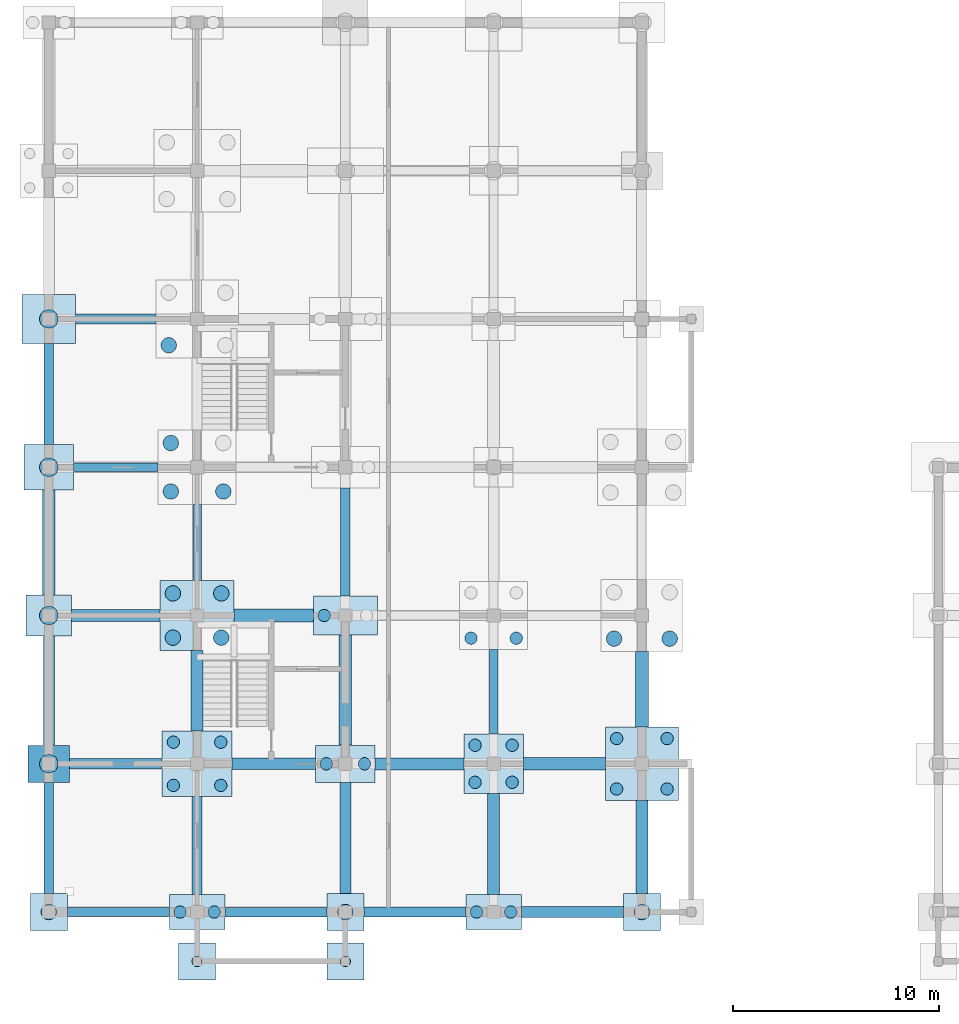
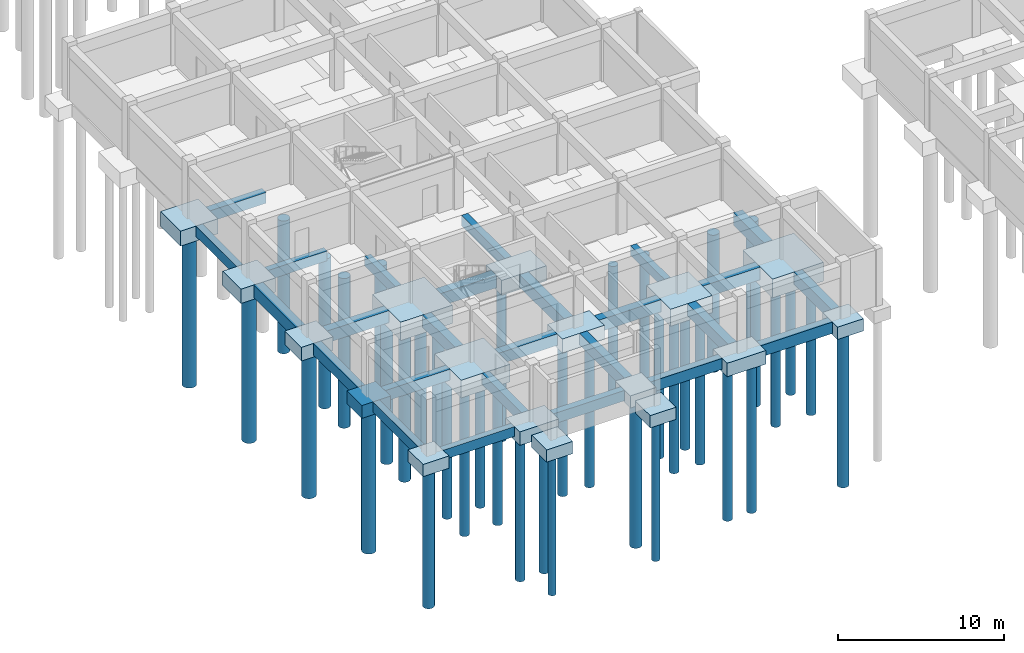
# One storey, part 1 of 38: 43 footings, 40 piles.
"""IFC4 building model written with IfcOpenShell, lengths in metres."""

from ifc_helpers import new_model, si_unit, direction, frame, origin, origin_2d, place, context, subcontext, project, spatial, polyline, rectangle, circle, outline, extrude, material, material_profile, profile_set, type_object, element, save


model = new_model("IFC4")

# Units and contexts
model_context = context("Model", 3, precision=1e-05, world=origin(), true_north=direction((0.0, 1.0)))
body_context = subcontext(model_context, "Body", "Model", "MODEL_VIEW")
ifc_project = project(units=[si_unit("LENGTHUNIT", "METRE"), si_unit("AREAUNIT", "SQUARE_METRE"), si_unit("VOLUMEUNIT", "CUBIC_METRE"), si_unit("PLANEANGLEUNIT", "RADIAN"), si_unit("MASSUNIT", "GRAM", prefix="KILO"), si_unit("THERMODYNAMICTEMPERATUREUNIT", "KELVIN"), si_unit("POWERUNIT", "WATT")], contexts=[model_context])

# Site, building, storey
site_placement = place(None, origin())
site = spatial("IfcSite", under=ifc_project, at=site_placement, CompositionType="ELEMENT")
building_placement = place(site_placement, origin())
building = spatial("IfcBuilding", under=site, at=building_placement, Name="Tavuni Mirador Residences", CompositionType="ELEMENT")
storey_placement = place(building_placement, frame((0.0, 0.0, -4.199951171875)))
storey = spatial("IfcBuildingStorey", under=building, at=storey_placement, Name="B1", CompositionType="ELEMENT", Elevation=-4.199951171875)

# Footings
ifc_material = material(Name="In-situ concrete C35/45", Category="concrete")
footing_type_1 = type_object("IfcFootingType", Name="FT-GB01", PredefinedType="FOOTING_BEAM", material=ifc_material)
footing_1_placement = place(storey_placement, frame((0.0, 0.0, -0.719970703125)))
element("IfcFooting", 1, at=footing_1_placement, inside=storey, type_object=footing_type_1, Name="GBX-BLK-A-00-00", PredefinedType="FOOTING_BEAM", context=body_context, shape_type="SweptSolid", body=[
    extrude(outline(polyline([(4.5, 6.989990234375), (9.449951171875, 6.989990234375), (9.449951171875, 7.409912109375), (4.5, 7.409912109375), (4.5, 6.989990234375)])), origin(), (0.0, 0.0, 1.0), 0.719970703125),
])
footing_2_placement = place(storey_placement, frame((0.0, 0.0, -0.719970703125)))
element("IfcFooting", 2, at=footing_2_placement, inside=storey, type_object=footing_type_1, Name="GBX-BLK-A-00-03", PredefinedType="FOOTING_BEAM", context=body_context, shape_type="SweptSolid", body=[
    extrude(outline(polyline([(4.800048828125, 28.590087890625), (8.89990234375, 28.590087890625), (8.89990234375, 29.010009765625), (4.800048828125, 29.010009765625), (4.800048828125, 28.590087890625)])), origin(), (0.0, 0.0, 1.0), 0.719970703125),
])
footing_3_placement = place(storey_placement, frame((0.0, 0.0, -0.719970703125)))
element("IfcFooting", 3, at=footing_3_placement, inside=storey, type_object=footing_type_1, Name="GBY-BLK-A-01-02", PredefinedType="FOOTING_BEAM", context=body_context, shape_type="SweptSolid", body=[
    extrude(outline(polyline([(10.590087890625, 23.300048828125), (11.010009765625, 23.300048828125), (11.010009765625, 27.0), (10.590087890625, 27.0), (10.590087890625, 23.300048828125)])), origin(), (0.0, 0.0, 1.0), 0.719970703125),
])
footing_4_placement = place(storey_placement, frame((0.0, 0.0, -0.719970703125)))
element("IfcFooting", 4, at=footing_4_placement, inside=storey, type_object=footing_type_1, Name="GBY-BLK-A-03-01", PredefinedType="FOOTING_BEAM", context=body_context, shape_type="SweptSolid", body=[
    extrude(outline(polyline([(24.989990234375, 15.85009765625), (25.409912109375, 15.85009765625), (25.409912109375, 19.949951171875), (24.989990234375, 19.949951171875), (24.989990234375, 15.85009765625)])), origin(), (0.0, 0.0, 1.0), 0.719970703125),
])
footing_type_2 = type_object("IfcFootingType", Name="FT-GB02", PredefinedType="FOOTING_BEAM", material=ifc_material)
footing_5_placement = place(storey_placement, frame((0.0, 0.0, -0.760009765625)))
element("IfcFooting", 5, at=footing_5_placement, inside=storey, type_object=footing_type_2, Name="GBY-BLK-A-00-00", PredefinedType="FOOTING_BEAM", context=body_context, shape_type="SweptSolid", body=[
    extrude(outline(polyline([(3.3701171875, 8.10009765625), (3.830078125, 8.10009765625), (3.830078125, 13.5), (3.3701171875, 13.5), (3.3701171875, 8.10009765625)])), origin(), (0.0, 0.0, 1.0), 0.760009765625),
])
footing_6_placement = place(storey_placement, frame((0.0, 0.0, -0.760009765625)))
element("IfcFooting", 6, at=footing_6_placement, inside=storey, type_object=footing_type_2, Name="GBY-BLK-A-00-03", PredefinedType="FOOTING_BEAM", context=body_context, shape_type="SweptSolid", body=[
    extrude(outline(polyline([(3.3701171875, 29.89990234375), (3.830078125, 29.89990234375), (3.830078125, 34.800048828125), (3.3701171875, 34.800048828125), (3.3701171875, 29.89990234375)])), origin(), (0.0, 0.0, 1.0), 0.760009765625),
])
footing_7_placement = place(storey_placement, frame((0.0, 0.0, -0.760009765625)))
element("IfcFooting", 7, at=footing_7_placement, inside=storey, type_object=footing_type_2, Name="GBX-BLK-A-01-00", PredefinedType="FOOTING_BEAM", context=body_context, shape_type="SweptSolid", body=[
    extrude(outline(polyline([(12.14990234375, 6.969970703125), (17.10009765625, 6.969970703125), (17.10009765625, 7.429931640625), (12.14990234375, 7.429931640625), (12.14990234375, 6.969970703125)])), origin(), (0.0, 0.0, 1.0), 0.760009765625),
])
footing_8_placement = place(storey_placement, frame((0.0, 0.0, -0.760009765625)))
element("IfcFooting", 8, at=footing_8_placement, inside=storey, type_object=footing_type_2, Name="GBY-BLK-A-02-02", PredefinedType="FOOTING_BEAM", context=body_context, shape_type="SweptSolid", body=[
    extrude(outline(polyline([(17.77001953125, 22.550048828125), (18.22998046875, 22.550048828125), (18.22998046875, 27.800048828125), (17.77001953125, 27.800048828125), (17.77001953125, 22.550048828125)])), origin(), (0.0, 0.0, 1.0), 0.760009765625),
])
footing_type_3 = type_object("IfcFootingType", Name="FT-GB03", PredefinedType="FOOTING_BEAM", material=ifc_material)
footing_9_placement = place(storey_placement, frame((0.0, 0.0, -0.800048828125)))
element("IfcFooting", 9, at=footing_9_placement, inside=storey, type_object=footing_type_3, Name="GBX-BLK-A-00-01", PredefinedType="FOOTING_BEAM", context=body_context, shape_type="SweptSolid", body=[
    extrude(outline(polyline([(4.60009765625, 14.14990234375), (9.10009765625, 14.14990234375), (9.10009765625, 14.64990234375), (4.60009765625, 14.64990234375), (4.60009765625, 14.14990234375)])), origin(), (0.0, 0.0, 1.0), 0.800048828125),
])
footing_10_placement = place(storey_placement, frame((0.0, 0.0, -0.800048828125)))
element("IfcFooting", 10, at=footing_10_placement, inside=storey, type_object=footing_type_3, Name="GBX-BLK-A-00-04", PredefinedType="FOOTING_BEAM", context=body_context, shape_type="SweptSolid", body=[
    extrude(outline(polyline([(4.89990234375, 35.75), (8.800048828125, 35.75), (8.800048828125, 36.25), (4.89990234375, 36.25), (4.89990234375, 35.75)])), origin(), (0.0, 0.0, 1.0), 0.800048828125),
])
footing_11_placement = place(storey_placement, frame((0.0, 0.0, -0.800048828125)))
element("IfcFooting", 11, at=footing_11_placement, inside=storey, type_object=footing_type_3, Name="GBY-BLK-A-01-00", PredefinedType="FOOTING_BEAM", context=body_context, shape_type="SweptSolid", body=[
    extrude(outline(polyline([(10.550048828125, 8.050048828125), (11.050048828125, 8.050048828125), (11.050048828125, 12.800048828125), (10.550048828125, 12.800048828125), (10.550048828125, 8.050048828125)])), origin(), (0.0, 0.0, 1.0), 0.800048828125),
])
footing_12_placement = place(storey_placement, frame((0.0, 0.0, -0.800048828125)))
element("IfcFooting", 12, at=footing_12_placement, inside=storey, type_object=footing_type_3, Name="GBX-BLK-A-02-00", PredefinedType="FOOTING_BEAM", context=body_context, shape_type="SweptSolid", body=[
    extrude(outline(polyline([(18.89990234375, 6.949951171875), (23.85009765625, 6.949951171875), (23.85009765625, 7.449951171875), (18.89990234375, 7.449951171875), (18.89990234375, 6.949951171875)])), origin(), (0.0, 0.0, 1.0), 0.800048828125),
])
footing_type_4 = type_object("IfcFootingType", Name="FT-GB04", PredefinedType="FOOTING_BEAM", material=ifc_material)
footing_13_placement = place(storey_placement, frame((0.0, 0.0, -0.840087890625)))
element("IfcFooting", 13, at=footing_13_placement, inside=storey, type_object=footing_type_4, Name="GBY-BLK-A-00-01", PredefinedType="FOOTING_BEAM", context=body_context, shape_type="SweptSolid", body=[
    extrude(outline(polyline([(3.330078125, 15.300048828125), (3.8701171875, 15.300048828125), (3.8701171875, 20.60009765625), (3.330078125, 20.60009765625), (3.330078125, 15.300048828125)])), origin(), (0.0, 0.0, 1.0), 0.840087890625),
])
footing_14_placement = place(storey_placement, frame((0.0, 0.0, -0.840087890625)))
element("IfcFooting", 14, at=footing_14_placement, inside=storey, type_object=footing_type_4, Name="GBX-BLK-A-01-01", PredefinedType="FOOTING_BEAM", context=body_context, shape_type="SweptSolid", body=[
    extrude(outline(polyline([(12.5, 14.1298828125), (16.550048828125, 14.1298828125), (16.550048828125, 14.669921875), (12.5, 14.669921875), (12.5, 14.1298828125)])), origin(), (0.0, 0.0, 1.0), 0.840087890625),
])
footing_15_placement = place(storey_placement, frame((0.0, 0.0, -0.840087890625)))
element("IfcFooting", 15, at=footing_15_placement, inside=storey, type_object=footing_type_4, Name="GBY-BLK-A-02-00", PredefinedType="FOOTING_BEAM", context=body_context, shape_type="SweptSolid", body=[
    extrude(outline(polyline([(17.72998046875, 8.10009765625), (18.27001953125, 8.10009765625), (18.27001953125, 13.5), (17.72998046875, 13.5), (17.72998046875, 8.10009765625)])), origin(), (0.0, 0.0, 1.0), 0.840087890625),
])
footing_16_placement = place(storey_placement, frame((0.0, 0.0, -0.840087890625)))
element("IfcFooting", 16, at=footing_16_placement, inside=storey, type_object=footing_type_4, Name="GBX-BLK-A-03-00", PredefinedType="FOOTING_BEAM", context=body_context, shape_type="SweptSolid", body=[
    extrude(outline(polyline([(26.550048828125, 6.929931640625), (31.5, 6.929931640625), (31.5, 7.469970703125), (26.550048828125, 7.469970703125), (26.550048828125, 6.929931640625)])), origin(), (0.0, 0.0, 1.0), 0.840087890625),
])
footing_type_5 = type_object("IfcFootingType", Name="FT-GB05", PredefinedType="FOOTING_BEAM", material=ifc_material)
footing_17_placement = place(storey_placement, frame((0.0, 0.0, -0.880126953125)))
element("IfcFooting", 17, at=footing_17_placement, inside=storey, type_object=footing_type_5, Name="GBX-BLK-A-00-02", PredefinedType="FOOTING_BEAM", context=body_context, shape_type="SweptSolid", body=[
    extrude(outline(polyline([(4.699951171875, 21.31005859375), (9.0, 21.31005859375), (9.0, 21.889892578125), (4.699951171875, 21.889892578125), (4.699951171875, 21.31005859375)])), origin(), (0.0, 0.0, 1.0), 0.880126953125),
])
footing_18_placement = place(storey_placement, frame((0.0, 0.0, -0.880126953125)))
element("IfcFooting", 18, at=footing_18_placement, inside=storey, type_object=footing_type_5, Name="GBY-BLK-A-01-01", PredefinedType="FOOTING_BEAM", context=body_context, shape_type="SweptSolid", body=[
    extrude(outline(polyline([(10.510009765625, 16.0), (11.090087890625, 16.0), (11.090087890625, 19.89990234375), (10.510009765625, 19.89990234375), (10.510009765625, 16.0)])), origin(), (0.0, 0.0, 1.0), 0.880126953125),
])
footing_19_placement = place(storey_placement, frame((0.0, 0.0, -0.880126953125)))
element("IfcFooting", 19, at=footing_19_placement, inside=storey, type_object=footing_type_5, Name="GBX-BLK-A-02-01", PredefinedType="FOOTING_BEAM", context=body_context, shape_type="SweptSolid", body=[
    extrude(outline(polyline([(19.449951171875, 14.110107421875), (23.75, 14.110107421875), (23.75, 14.68994140625), (19.449951171875, 14.68994140625), (19.449951171875, 14.110107421875)])), origin(), (0.0, 0.0, 1.0), 0.880126953125),
])
footing_20_placement = place(storey_placement, frame((0.0, 0.0, -0.880126953125)))
element("IfcFooting", 20, at=footing_20_placement, inside=storey, type_object=footing_type_5, Name="GBY-BLK-A-03-00", PredefinedType="FOOTING_BEAM", context=body_context, shape_type="SweptSolid", body=[
    extrude(outline(polyline([(24.909912109375, 8.050048828125), (25.489990234375, 8.050048828125), (25.489990234375, 12.949951171875), (24.909912109375, 12.949951171875), (24.909912109375, 8.050048828125)])), origin(), (0.0, 0.0, 1.0), 0.880126953125),
])
footing_21_placement = place(storey_placement, frame((0.0, 0.0, -0.880126953125)))
element("IfcFooting", 21, at=footing_21_placement, inside=storey, type_object=footing_type_5, Name="GBY-BLK-A-04-00", PredefinedType="FOOTING_BEAM", context=body_context, shape_type="SweptSolid", body=[
    extrude(outline(polyline([(32.110107421875, 8.10009765625), (32.68994140625, 8.10009765625), (32.68994140625, 12.625), (32.110107421875, 12.625), (32.110107421875, 8.10009765625)])), origin(), (0.0, 0.0, 1.0), 0.880126953125),
])
footing_type_6 = type_object("IfcFootingType", Name="FT-GB06", PredefinedType="FOOTING_BEAM", material=ifc_material)
footing_22_placement = place(storey_placement, frame((0.0, 0.0, -0.920166015625)))
element("IfcFooting", 22, at=footing_22_placement, inside=storey, type_object=footing_type_6, Name="GBY-BLK-A-00-02", PredefinedType="FOOTING_BEAM", context=body_context, shape_type="SweptSolid", body=[
    extrude(outline(polyline([(3.2900390625, 22.60009765625), (3.909912109375, 22.60009765625), (3.909912109375, 27.699951171875), (3.2900390625, 27.699951171875), (3.2900390625, 22.60009765625)])), origin(), (0.0, 0.0, 1.0), 0.920166015625),
])
footing_23_placement = place(storey_placement, frame((0.0, 0.0, -0.920166015625)))
element("IfcFooting", 23, at=footing_23_placement, inside=storey, type_object=footing_type_6, Name="GBX-BLK-A-01-02", PredefinedType="FOOTING_BEAM", context=body_context, shape_type="SweptSolid", body=[
    extrude(outline(polyline([(12.60009765625, 21.2900390625), (16.449951171875, 21.2900390625), (16.449951171875, 21.909912109375), (12.60009765625, 21.909912109375), (12.60009765625, 21.2900390625)])), origin(), (0.0, 0.0, 1.0), 0.920166015625),
])
footing_24_placement = place(storey_placement, frame((0.0, 0.0, -0.920166015625)))
element("IfcFooting", 24, at=footing_24_placement, inside=storey, type_object=footing_type_6, Name="GBY-BLK-A-02-01", PredefinedType="FOOTING_BEAM", context=body_context, shape_type="SweptSolid", body=[
    extrude(outline(polyline([(17.68994140625, 15.300048828125), (18.31005859375, 15.300048828125), (18.31005859375, 20.64990234375), (17.68994140625, 20.64990234375), (17.68994140625, 15.300048828125)])), origin(), (0.0, 0.0, 1.0), 0.920166015625),
])
footing_25_placement = place(storey_placement, frame((0.0, 0.0, -0.920166015625)))
element("IfcFooting", 25, at=footing_25_placement, inside=storey, type_object=footing_type_6, Name="GBX-BLK-A-03-01", PredefinedType="FOOTING_BEAM", context=body_context, shape_type="SweptSolid", body=[
    extrude(outline(polyline([(26.64990234375, 14.090087890625), (30.625, 14.090087890625), (30.625, 14.7099609375), (26.64990234375, 14.7099609375), (26.64990234375, 14.090087890625)])), origin(), (0.0, 0.0, 1.0), 0.920166015625),
])
footing_26_placement = place(storey_placement, frame((0.0, 0.0, -0.920166015625)))
element("IfcFooting", 26, at=footing_26_placement, inside=storey, type_object=footing_type_6, Name="GBY-BLK-A-04-01", PredefinedType="FOOTING_BEAM", context=body_context, shape_type="SweptSolid", body=[
    extrude(outline(polyline([(32.090087890625, 16.175048828125), (32.7099609375, 16.175048828125), (32.7099609375, 19.85009765625), (32.090087890625, 19.85009765625), (32.090087890625, 16.175048828125)])), origin(), (0.0, 0.0, 1.0), 0.920166015625),
])
footing_type_7 = type_object("IfcFootingType", Name="FT-PC01", PredefinedType="PILE_CAP", material=ifc_material)
for number, where, z_axis, x_axis, name in (
    (27, (3.60009765625, 7.199951171875, -0.89990234375), (0.0, 0.0, 1.0), (1.0, 0.0, 0.0), "CAP-BLK-A-00-00"),
    (28, (18.0, 7.199951171875, -0.89990234375), (0.0, 0.0, 1.0), (1.0, 0.0, 0.0), "CAP-BLK-A-02-00"),
    (29, (32.39990234375, 7.199951171875, -0.89990234375), (0.0, 0.0, 1.0), (1.0, 0.0, 0.0), "CAP-BLK-A-04-00"),
    (30, (10.800048828125, 4.800048828125, -0.89990234375), (0.0, 0.0, 1.0), (1.0, 0.0, 0.0), "CAP-APR-BLKA-S-0"),
    (31, (18.0, 4.800048828125, -0.89990234375), (0.0, 0.0, 1.0), (1.0, 0.0, 0.0), "CAP-APR-BLKA-S-1"),
):
    element("IfcFooting", number, at=place(storey_placement, frame(where, z_axis=z_axis, x_axis=x_axis)), inside=storey, type_object=footing_type_7, Name=name, PredefinedType="PILE_CAP", context=body_context, shape_type="SweptSolid", body=[
        extrude(rectangle(XDim=1.800048828125, YDim=1.800048828125, at=origin_2d()), origin(), (0.0, 0.0, 1.0), 0.89990234375),
    ])
footing_type_8 = type_object("IfcFootingType", Name="FT-PC02", PredefinedType="PILE_CAP", material=ifc_material)
footing_27_placement = place(storey_placement, frame((3.60009765625, 14.39990234375, -0.9501953125), z_axis=(0.0, 0.0, 1.0), x_axis=(1.0, 0.0, 0.0)))
element("IfcFooting", 32, at=footing_27_placement, inside=storey, type_object=footing_type_8, Name="CAP-BLK-A-00-01", PredefinedType="PILE_CAP", context=body_context, shape_type="SweptSolid", body=[
    extrude(rectangle(XDim=2.0, YDim=1.800048828125, at=origin_2d()), origin(), (0.0, 0.0, 1.0), 0.949951171875),
])
footing_type_9 = type_object("IfcFootingType", Name="FT-PC03", PredefinedType="PILE_CAP", material=ifc_material)
footing_28_placement = place(storey_placement, frame((3.60009765625, 21.60009765625, -1.0), z_axis=(0.0, 0.0, 1.0), x_axis=(1.0, 0.0, 0.0)))
element("IfcFooting", 33, at=footing_28_placement, inside=storey, type_object=footing_type_9, Name="CAP-BLK-A-00-02", PredefinedType="PILE_CAP", context=body_context, shape_type="SweptSolid", body=[
    extrude(rectangle(XDim=2.199951171875, YDim=2.0, at=origin_2d()), origin(), (0.0, 0.0, 1.0), 1.0),
])
footing_type_10 = type_object("IfcFootingType", Name="FT-PC04", PredefinedType="PILE_CAP", material=ifc_material)
footing_29_placement = place(storey_placement, frame((3.60009765625, 28.800048828125, -1.05029296875), z_axis=(0.0, 0.0, 1.0), x_axis=(1.0, 0.0, 0.0)))
element("IfcFooting", 34, at=footing_29_placement, inside=storey, type_object=footing_type_10, Name="CAP-BLK-A-00-03", PredefinedType="PILE_CAP", context=body_context, shape_type="SweptSolid", body=[
    extrude(rectangle(XDim=2.39990234375, YDim=2.199951171875, at=origin_2d()), origin(), (0.0, 0.0, 1.0), 1.050048828125),
])
footing_type_11 = type_object("IfcFootingType", Name="FT-PC05", PredefinedType="PILE_CAP", material=ifc_material)
footing_30_placement = place(storey_placement, frame((3.60009765625, 36.0, -1.10009765625), z_axis=(0.0, 0.0, 1.0), x_axis=(1.0, 0.0, 0.0)))
element("IfcFooting", 35, at=footing_30_placement, inside=storey, type_object=footing_type_11, Name="CAP-BLK-A-00-04", PredefinedType="PILE_CAP", context=body_context, shape_type="SweptSolid", body=[
    extrude(rectangle(XDim=2.60009765625, YDim=2.39990234375, at=origin_2d()), origin(), (0.0, 0.0, 1.0), 1.10009765625),
])
footing_type_12 = type_object("IfcFootingType", Name="FT-PC09", PredefinedType="PILE_CAP", material=ifc_material)
footing_31_placement = place(storey_placement, frame((10.800048828125, 14.39990234375, -1.30029296875), z_axis=(0.0, 0.0, 1.0), x_axis=(1.0, 0.0, 0.0)))
element("IfcFooting", 36, at=footing_31_placement, inside=storey, type_object=footing_type_12, Name="CAP-BLK-A-01-01", PredefinedType="PILE_CAP", context=body_context, shape_type="SweptSolid", body=[
    extrude(rectangle(XDim=3.39990234375, YDim=3.199951171875, at=origin_2d()), origin(), (0.0, 0.0, 1.0), 1.300048828125),
])
footing_type_13 = type_object("IfcFootingType", Name="FT-PC10", PredefinedType="PILE_CAP", material=ifc_material)
footing_32_placement = place(storey_placement, frame((10.800048828125, 21.60009765625, -1.35009765625), z_axis=(0.0, 0.0, 1.0), x_axis=(1.0, 0.0, 0.0)))
element("IfcFooting", 37, at=footing_32_placement, inside=storey, type_object=footing_type_13, Name="CAP-BLK-A-01-02", PredefinedType="PILE_CAP", context=body_context, shape_type="SweptSolid", body=[
    extrude(rectangle(XDim=3.60009765625, YDim=3.39990234375, at=origin_2d()), origin(), (0.0, 0.0, 1.0), 1.35009765625),
])
footing_type_14 = type_object("IfcFootingType", Name="FT-PC15", PredefinedType="PILE_CAP", material=ifc_material)
for number, where, z_axis, x_axis, name in (
    (38, (10.800048828125, 7.199951171875, -1.0), (0.0, 0.0, 1.0), (1.0, 0.0, 0.0), "CAP-BLK-A-01-00"),
    (39, (25.199951171875, 7.199951171875, -1.0), (0.0, 0.0, 1.0), (1.0, 0.0, 0.0), "CAP-BLK-A-03-00"),
):
    element("IfcFooting", number, at=place(storey_placement, frame(where, z_axis=z_axis, x_axis=x_axis)), inside=storey, type_object=footing_type_14, Name=name, PredefinedType="PILE_CAP", context=body_context, shape_type="SweptSolid", body=[
        extrude(rectangle(XDim=2.699951171875, YDim=1.699951171875, at=origin_2d()), origin(), (0.0, 0.0, 1.0), 1.0),
    ])
footing_type_15 = type_object("IfcFootingType", Name="FT-PC16", PredefinedType="PILE_CAP", material=ifc_material)
footing_33_placement = place(storey_placement, frame((18.0, 14.39990234375, -1.05029296875), z_axis=(0.0, 0.0, 1.0), x_axis=(1.0, 0.0, 0.0)))
element("IfcFooting", 40, at=footing_33_placement, inside=storey, type_object=footing_type_15, Name="CAP-BLK-A-02-01", PredefinedType="PILE_CAP", context=body_context, shape_type="SweptSolid", body=[
    extrude(rectangle(XDim=2.89990234375, YDim=1.800048828125, at=origin_2d()), origin(), (0.0, 0.0, 1.0), 1.050048828125),
])
footing_type_16 = type_object("IfcFootingType", Name="FT-PC17", PredefinedType="PILE_CAP", material=ifc_material)
footing_34_placement = place(storey_placement, frame((18.0, 21.60009765625, -1.10009765625), z_axis=(0.0, 0.0, 1.0), x_axis=(1.0, 0.0, 0.0)))
element("IfcFooting", 41, at=footing_34_placement, inside=storey, type_object=footing_type_16, Name="CAP-BLK-A-02-02", PredefinedType="PILE_CAP", context=body_context, shape_type="SweptSolid", body=[
    extrude(rectangle(XDim=3.10009765625, YDim=1.89990234375, at=origin_2d()), origin(), (0.0, 0.0, 1.0), 1.10009765625),
])
footing_type_17 = type_object("IfcFootingType", Name="FT-PC23", PredefinedType="PILE_CAP", material=ifc_material)
footing_35_placement = place(storey_placement, frame((25.199951171875, 14.39990234375, -1.25), z_axis=(0.0, 0.0, 1.0), x_axis=(1.0, 0.0, 0.0)))
element("IfcFooting", 42, at=footing_35_placement, inside=storey, type_object=footing_type_17, Name="CAP-BLK-A-03-01", PredefinedType="PILE_CAP", context=body_context, shape_type="SweptSolid", body=[
    extrude(rectangle(XDim=2.89990234375, YDim=2.89990234375, at=origin_2d()), origin(), (0.0, 0.0, 1.0), 1.25),
])
footing_type_18 = type_object("IfcFootingType", Name="FT-PC30", PredefinedType="PILE_CAP", material=ifc_material)
footing_36_placement = place(storey_placement, frame((32.39990234375, 14.39990234375, -1.3798828125), z_axis=(0.0, 0.0, 1.0), x_axis=(1.0, 0.0, 0.0)))
element("IfcFooting", 43, at=footing_36_placement, inside=storey, type_object=footing_type_18, Name="CAP-BLK-A-04-01", PredefinedType="PILE_CAP", context=body_context, shape_type="SweptSolid", body=[
    extrude(rectangle(XDim=3.550048828125, YDim=3.550048828125, at=origin_2d()), origin(), (0.0, 0.0, 1.0), 1.3798828125),
])

# Piles
ifc_material_profile_1 = material_profile(ifc_material, circle(Radius=0.25, at=origin_2d()), Name="PILE D500", Category="concrete")
ifc_profile_set_1 = profile_set([ifc_material_profile_1], Name="In-situ concrete C35/45")
pile_type_1 = type_object("IfcPileType", Name="PT-D500", PredefinedType="BORED", material=ifc_profile_set_1)
for number, where, z_axis, x_axis, name in (
    (44, (10.800048828125, 4.800048828125, -0.800048828125), (0.0, 0.0, -1.0), (1.0, 0.0, 0.0), "PIL-APR-BLKA-S-0"),
    (45, (18.0, 4.800048828125, -0.800048828125), (0.0, 0.0, -1.0), (1.0, 0.0, 0.0), "PIL-APR-BLKA-S-1"),
):
    element("IfcPile", number, at=place(storey_placement, frame(where, z_axis=z_axis, x_axis=x_axis)), inside=storey, type_object=pile_type_1, Name=name, PredefinedType="BORED", context=body_context, shape_type="SweptSolid", body=[
        extrude(circle(Radius=0.25, at=origin_2d()), origin(), (0.0, 0.0, 1.0), 10.60009765625),
    ])
ifc_material_profile_2 = material_profile(ifc_material, circle(Radius=0.300048828125, at=origin_2d()), Name="PILE D600", Category="concrete")
ifc_profile_set_2 = profile_set([ifc_material_profile_2], Name="In-situ concrete C35/45")
pile_type_2 = type_object("IfcPileType", Name="PT-D600", PredefinedType="BORED", material=ifc_profile_set_2)
for number, where, z_axis, x_axis, name in (
    (46, (9.969970703125, 7.199951171875, -1.0), (0.0, 0.0, -1.0), (1.0, 0.0, 0.0), "PIL-BLK-A-01-00-1"),
    (47, (11.6298828125, 7.199951171875, -1.0), (0.0, 0.0, -1.0), (1.0, 0.0, 0.0), "PIL-BLK-A-01-00-2"),
    (48, (9.64990234375, 13.35009765625, -1.300048828125), (0.0, 0.0, -1.0), (1.0, 0.0, 0.0), "PIL-BLK-A-01-01-1"),
    (49, (11.949951171875, 13.35009765625, -1.300048828125), (0.0, 0.0, -1.0), (1.0, 0.0, 0.0), "PIL-BLK-A-01-01-2"),
    (50, (9.64990234375, 15.449951171875, -1.300048828125), (0.0, 0.0, -1.0), (1.0, 0.0, 0.0), "PIL-BLK-A-01-01-3"),
    (51, (11.949951171875, 15.449951171875, -1.300048828125), (0.0, 0.0, -1.0), (1.0, 0.0, 0.0), "PIL-BLK-A-01-01-4"),
):
    element("IfcPile", number, at=place(storey_placement, frame(where, z_axis=z_axis, x_axis=x_axis)), inside=storey, type_object=pile_type_2, Name=name, PredefinedType="BORED", context=body_context, shape_type="SweptSolid", body=[
        extrude(circle(Radius=0.300048828125, at=origin_2d()), origin(), (0.0, 0.0, 1.0), 10.5),
    ])
for number, where, z_axis, x_axis, name in (
    (52, (17.070068359375, 14.39990234375, -1.050048828125), (0.0, 0.0, -1.0), (1.0, 0.0, 0.0), "PIL-BLK-A-02-01-1"),
    (53, (18.929931640625, 14.39990234375, -1.050048828125), (0.0, 0.0, -1.0), (1.0, 0.0, 0.0), "PIL-BLK-A-02-01-2"),
):
    element("IfcPile", number, at=place(storey_placement, frame(where, z_axis=z_axis, x_axis=x_axis)), inside=storey, type_object=pile_type_2, Name=name, PredefinedType="BORED", context=body_context, shape_type="SweptSolid", body=[
        extrude(circle(Radius=0.300048828125, at=origin_2d()), origin(), (0.0, 0.0, 1.0), 11.050048828125),
    ])
pile_1_placement = place(storey_placement, frame((16.969970703125, 21.60009765625, -1.10009765625), z_axis=(0.0, 0.0, -1.0), x_axis=(1.0, 0.0, 0.0)))
element("IfcPile", 54, at=pile_1_placement, inside=storey, type_object=pile_type_2, Name="PIL-BLK-A-02-02-1", PredefinedType="BORED", context=body_context, shape_type="SweptSolid", body=[
    extrude(circle(Radius=0.300048828125, at=origin_2d()), origin(), (0.0, 0.0, 1.0), 11.300048828125),
])
for number, where, z_axis, x_axis, name in (
    (55, (24.3701171875, 7.199951171875, -1.0), (0.0, 0.0, -1.0), (1.0, 0.0, 0.0), "PIL-BLK-A-03-00-1"),
    (56, (26.030029296875, 7.199951171875, -1.0), (0.0, 0.0, -1.0), (1.0, 0.0, 0.0), "PIL-BLK-A-03-00-2"),
):
    element("IfcPile", number, at=place(storey_placement, frame(where, z_axis=z_axis, x_axis=x_axis)), inside=storey, type_object=pile_type_2, Name=name, PredefinedType="BORED", context=body_context, shape_type="SweptSolid", body=[
        extrude(circle(Radius=0.300048828125, at=origin_2d()), origin(), (0.0, 0.0, 1.0), 11.10009765625),
    ])
for number, where, z_axis, x_axis, name in (
    (57, (24.300048828125, 13.5, -1.25), (0.0, 0.0, -1.0), (1.0, 0.0, 0.0), "PIL-BLK-A-03-01-1"),
    (58, (26.10009765625, 13.5, -1.25), (0.0, 0.0, -1.0), (1.0, 0.0, 0.0), "PIL-BLK-A-03-01-2"),
    (59, (24.300048828125, 15.300048828125, -1.25), (0.0, 0.0, -1.0), (1.0, 0.0, 0.0), "PIL-BLK-A-03-01-3"),
    (60, (26.10009765625, 15.300048828125, -1.25), (0.0, 0.0, -1.0), (1.0, 0.0, 0.0), "PIL-BLK-A-03-01-4"),
):
    element("IfcPile", number, at=place(storey_placement, frame(where, z_axis=z_axis, x_axis=x_axis)), inside=storey, type_object=pile_type_2, Name=name, PredefinedType="BORED", context=body_context, shape_type="SweptSolid", body=[
        extrude(circle(Radius=0.300048828125, at=origin_2d()), origin(), (0.0, 0.0, 1.0), 11.14990234375),
    ])
for number, where, z_axis, x_axis, name in (
    (61, (24.10009765625, 20.5, -1.35009765625), (0.0, 0.0, -1.0), (1.0, 0.0, 0.0), "PIL-BLK-A-03-02-1"),
    (62, (26.300048828125, 20.5, -1.35009765625), (0.0, 0.0, -1.0), (1.0, 0.0, 0.0), "PIL-BLK-A-03-02-2"),
):
    element("IfcPile", number, at=place(storey_placement, frame(where, z_axis=z_axis, x_axis=x_axis)), inside=storey, type_object=pile_type_2, Name=name, PredefinedType="BORED", context=body_context, shape_type="SweptSolid", body=[
        extrude(circle(Radius=0.300048828125, at=origin_2d()), origin(), (0.0, 0.0, 1.0), 9.85009765625),
    ])
for number, where, z_axis, x_axis, name in (
    (63, (31.175048828125, 13.175048828125, -1.380126953125), (0.0, 0.0, -1.0), (1.0, 0.0, 0.0), "PIL-BLK-A-04-01-1"),
    (64, (33.625, 13.175048828125, -1.380126953125), (0.0, 0.0, -1.0), (1.0, 0.0, 0.0), "PIL-BLK-A-04-01-2"),
    (65, (31.175048828125, 15.625, -1.380126953125), (0.0, 0.0, -1.0), (1.0, 0.0, 0.0), "PIL-BLK-A-04-01-3"),
    (66, (33.625, 15.625, -1.380126953125), (0.0, 0.0, -1.0), (1.0, 0.0, 0.0), "PIL-BLK-A-04-01-4"),
):
    element("IfcPile", number, at=place(storey_placement, frame(where, z_axis=z_axis, x_axis=x_axis)), inside=storey, type_object=pile_type_2, Name=name, PredefinedType="BORED", context=body_context, shape_type="SweptSolid", body=[
        extrude(circle(Radius=0.300048828125, at=origin_2d()), origin(), (0.0, 0.0, 1.0), 9.820068359375),
    ])
ifc_material_profile_3 = material_profile(ifc_material, circle(Radius=0.375, at=origin_2d()), Name="PILE D750", Category="concrete")
ifc_profile_set_3 = profile_set([ifc_material_profile_3], Name="In-situ concrete C35/45")
pile_type_3 = type_object("IfcPileType", Name="PT-D750", PredefinedType="BORED", material=ifc_profile_set_3)
pile_2_placement = place(storey_placement, frame((3.60009765625, 7.199951171875, -0.900146484375), z_axis=(0.0, 0.0, -1.0), x_axis=(1.0, 0.0, 0.0)))
element("IfcPile", 67, at=pile_2_placement, inside=storey, type_object=pile_type_3, Name="PIL-BLK-A-00-00-1", PredefinedType="BORED", context=body_context, shape_type="SweptSolid", body=[
    extrude(circle(Radius=0.375, at=origin_2d()), origin(), (0.0, 0.0, 1.0), 10.300048828125),
])
for number, where, z_axis, x_axis, name in (
    (68, (9.625, 20.52490234375, -1.35009765625), (0.0, 0.0, -1.0), (1.0, 0.0, 0.0), "PIL-BLK-A-01-02-1"),
    (69, (11.97509765625, 20.52490234375, -1.35009765625), (0.0, 0.0, -1.0), (1.0, 0.0, 0.0), "PIL-BLK-A-01-02-2"),
    (70, (9.625, 22.675048828125, -1.35009765625), (0.0, 0.0, -1.0), (1.0, 0.0, 0.0), "PIL-BLK-A-01-02-3"),
    (71, (11.97509765625, 22.675048828125, -1.35009765625), (0.0, 0.0, -1.0), (1.0, 0.0, 0.0), "PIL-BLK-A-01-02-4"),
):
    element("IfcPile", number, at=place(storey_placement, frame(where, z_axis=z_axis, x_axis=x_axis)), inside=storey, type_object=pile_type_3, Name=name, PredefinedType="BORED", context=body_context, shape_type="SweptSolid", body=[
        extrude(circle(Radius=0.375, at=origin_2d()), origin(), (0.0, 0.0, 1.0), 10.75),
    ])
for number, where, z_axis, x_axis, name in (
    (72, (9.52490234375, 27.625, -1.400146484375), (0.0, 0.0, -1.0), (1.0, 0.0, 0.0), "PIL-BLK-A-01-03-1"),
    (73, (12.074951171875, 27.625, -1.400146484375), (0.0, 0.0, -1.0), (1.0, 0.0, 0.0), "PIL-BLK-A-01-03-2"),
    (74, (9.52490234375, 29.97509765625, -1.400146484375), (0.0, 0.0, -1.0), (1.0, 0.0, 0.0), "PIL-BLK-A-01-03-3"),
):
    element("IfcPile", number, at=place(storey_placement, frame(where, z_axis=z_axis, x_axis=x_axis)), inside=storey, type_object=pile_type_3, Name=name, PredefinedType="BORED", context=body_context, shape_type="SweptSolid", body=[
        extrude(circle(Radius=0.375, at=origin_2d()), origin(), (0.0, 0.0, 1.0), 11.0),
    ])
pile_3_placement = place(storey_placement, frame((9.425048828125, 34.72509765625, -1.449951171875), z_axis=(0.0, 0.0, -1.0), x_axis=(1.0, 0.0, 0.0)))
element("IfcPile", 75, at=pile_3_placement, inside=storey, type_object=pile_type_3, Name="PIL-BLK-A-01-04-1", PredefinedType="BORED", context=body_context, shape_type="SweptSolid", body=[
    extrude(circle(Radius=0.375, at=origin_2d()), origin(), (0.0, 0.0, 1.0), 9.75),
])
pile_4_placement = place(storey_placement, frame((18.0, 7.199951171875, -0.900146484375), z_axis=(0.0, 0.0, -1.0), x_axis=(1.0, 0.0, 0.0)))
element("IfcPile", 76, at=pile_4_placement, inside=storey, type_object=pile_type_3, Name="PIL-BLK-A-02-00-1", PredefinedType="BORED", context=body_context, shape_type="SweptSolid", body=[
    extrude(circle(Radius=0.375, at=origin_2d()), origin(), (0.0, 0.0, 1.0), 10.89990234375),
])
pile_5_placement = place(storey_placement, frame((32.39990234375, 7.199951171875, -0.900146484375), z_axis=(0.0, 0.0, -1.0), x_axis=(1.0, 0.0, 0.0)))
element("IfcPile", 77, at=pile_5_placement, inside=storey, type_object=pile_type_3, Name="PIL-BLK-A-04-00-1", PredefinedType="BORED", context=body_context, shape_type="SweptSolid", body=[
    extrude(circle(Radius=0.375, at=origin_2d()), origin(), (0.0, 0.0, 1.0), 11.5),
])
for number, where, z_axis, x_axis, name in (
    (78, (31.050048828125, 20.47509765625, -1.420166015625), (0.0, 0.0, -1.0), (1.0, 0.0, 0.0), "PIL-BLK-A-04-02-1"),
    (79, (33.75, 20.47509765625, -1.420166015625), (0.0, 0.0, -1.0), (1.0, 0.0, 0.0), "PIL-BLK-A-04-02-2"),
):
    element("IfcPile", number, at=place(storey_placement, frame(where, z_axis=z_axis, x_axis=x_axis)), inside=storey, type_object=pile_type_3, Name=name, PredefinedType="BORED", context=body_context, shape_type="SweptSolid", body=[
        extrude(circle(Radius=0.375, at=origin_2d()), origin(), (0.0, 0.0, 1.0), 10.080078125),
    ])
ifc_material_profile_4 = material_profile(ifc_material, circle(Radius=0.449951171875, at=origin_2d()), Name="PILE D900", Category="concrete")
ifc_profile_set_4 = profile_set([ifc_material_profile_4], Name="In-situ concrete C35/45")
pile_type_4 = type_object("IfcPileType", Name="PT-D900", PredefinedType="BORED", material=ifc_profile_set_4)
pile_6_placement = place(storey_placement, frame((3.60009765625, 14.39990234375, -0.949951171875), z_axis=(0.0, 0.0, -1.0), x_axis=(1.0, 0.0, 0.0)))
element("IfcPile", 80, at=pile_6_placement, inside=storey, type_object=pile_type_4, Name="PIL-BLK-A-00-01-1", PredefinedType="BORED", context=body_context, shape_type="SweptSolid", body=[
    extrude(circle(Radius=0.449951171875, at=origin_2d()), origin(), (0.0, 0.0, 1.0), 10.550048828125),
])
pile_7_placement = place(storey_placement, frame((3.60009765625, 21.60009765625, -1.0), z_axis=(0.0, 0.0, -1.0), x_axis=(1.0, 0.0, 0.0)))
element("IfcPile", 81, at=pile_7_placement, inside=storey, type_object=pile_type_4, Name="PIL-BLK-A-00-02-1", PredefinedType="BORED", context=body_context, shape_type="SweptSolid", body=[
    extrude(circle(Radius=0.449951171875, at=origin_2d()), origin(), (0.0, 0.0, 1.0), 10.800048828125),
])
pile_8_placement = place(storey_placement, frame((3.60009765625, 28.800048828125, -1.050048828125), z_axis=(0.0, 0.0, -1.0), x_axis=(1.0, 0.0, 0.0)))
element("IfcPile", 82, at=pile_8_placement, inside=storey, type_object=pile_type_4, Name="PIL-BLK-A-00-03-1", PredefinedType="BORED", context=body_context, shape_type="SweptSolid", body=[
    extrude(circle(Radius=0.449951171875, at=origin_2d()), origin(), (0.0, 0.0, 1.0), 11.050048828125),
])
pile_9_placement = place(storey_placement, frame((3.60009765625, 36.0, -1.10009765625), z_axis=(0.0, 0.0, -1.0), x_axis=(1.0, 0.0, 0.0)))
element("IfcPile", 83, at=pile_9_placement, inside=storey, type_object=pile_type_4, Name="PIL-BLK-A-00-04-1", PredefinedType="BORED", context=body_context, shape_type="SweptSolid", body=[
    extrude(circle(Radius=0.449951171875, at=origin_2d()), origin(), (0.0, 0.0, 1.0), 11.300048828125),
])

save(model, "model.ifc")
